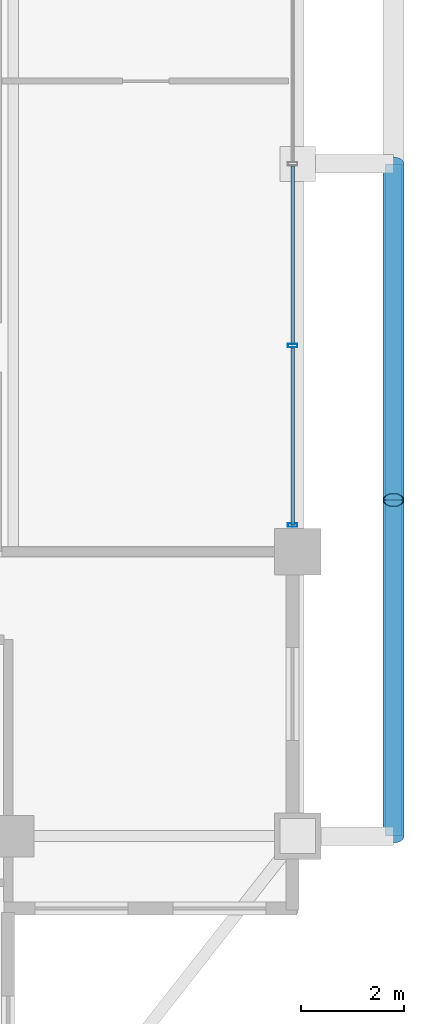
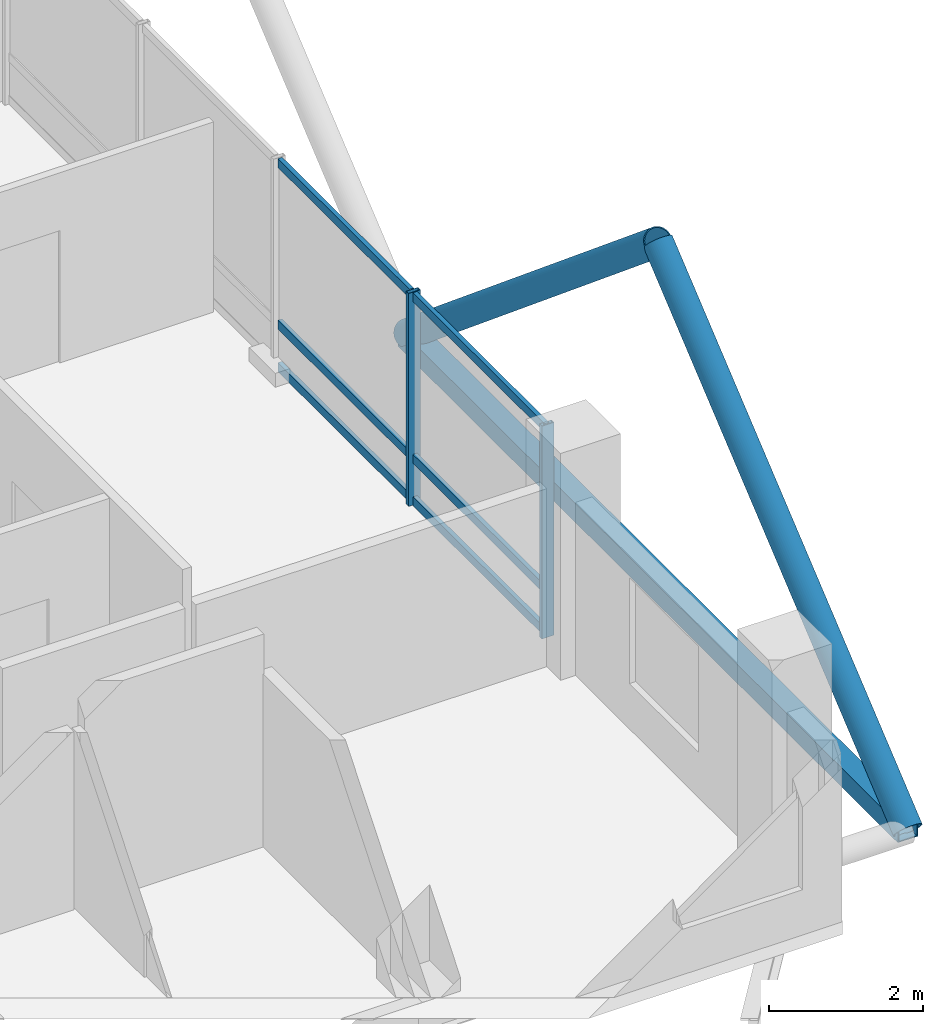
# One storey, part 12 of 25: 11 members, 1 element without a shape of its own.
"""IFC4 building model written with IfcOpenShell, lengths in metres."""

from ifc_helpers import new_model, si_unit, direction, frame, origin, origin_2d, place, context, subcontext, project, spatial, hollow_rectangle, hollow_circle, extrude, material, layer, layer_set, material_profile, profile_set, type_object, element, aggregate, save


model = new_model("IFC4")

# Units and contexts
model_context = context("Model", 3, precision=1e-05, world=origin(), true_north=direction((0.0, 1.0)))
body_context = subcontext(model_context, "Body", "Model", "MODEL_VIEW")
ifc_project = project(units=[si_unit("LENGTHUNIT", "METRE"), si_unit("AREAUNIT", "SQUARE_METRE"), si_unit("VOLUMEUNIT", "CUBIC_METRE"), si_unit("PLANEANGLEUNIT", "RADIAN"), si_unit("MASSUNIT", "GRAM", prefix="KILO")], contexts=[model_context])

# Site, building, storey
site_placement = place(None, origin())
site = spatial("IfcSite", under=ifc_project, at=site_placement, CompositionType="ELEMENT")
building_placement = place(site_placement, origin())
building = spatial("IfcBuilding", under=site, at=building_placement, Name="Barlavira Tower and Art Museum", CompositionType="ELEMENT")
storey_placement = place(building_placement, frame((0.0, 0.0, 229.5)))
storey = spatial("IfcBuildingStorey", under=building, at=storey_placement, Name="L59", CompositionType="ELEMENT", Elevation=229.5)

# Curtain wall, members
ifc_material_1 = material(Name="Low-iron coastal laminated glass", Category="glass")
ifc_layer = layer(ifc_material_1, 0.2099609375, Name="Low-iron coastal laminated glass")
ifc_layer_set = layer_set([ifc_layer], Name="Low-iron coastal laminated glass")
curtain_wall_type = type_object("IfcCurtainWallType", Name="Pale-Metal Unitised Curtain Wall Zone 4", PredefinedType="NOTDEFINED", material=ifc_layer_set)
curtain_wall_placement = place(storey_placement, origin())
curtain_wall = element("IfcCurtainWall", 1, at=curtain_wall_placement, inside=storey, type_object=curtain_wall_type, Name="L59 Curtain Wall CW4-L59-E-B3", PredefinedType="NOTDEFINED")
ifc_material_2 = material(Name="Pale anodised aluminium", Category="aluminium")
ifc_material_profile_1 = material_profile(ifc_material_2, hollow_rectangle(XDim=0.06494140625, YDim=0.179931640625, WallThickness=0.00390625, at=origin_2d()), Name="ALU-MULL 65x180x4")
ifc_profile_set_1 = profile_set([ifc_material_profile_1], Name="Pale anodised aluminium")
member_type_1 = type_object("IfcMemberType", Name="Curtain Wall Pale-Metal Mullion 65x180", PredefinedType="MULLION", material=ifc_profile_set_1)
member_1_placement = place(storey_placement, frame((16.89990234375, -6.985107421875, 0.0), z_axis=(0.0, 0.0, 1.0), x_axis=(0.0, 1.0, 0.0)))
member_1 = element("IfcMember", 2, at=member_1_placement, type_object=member_type_1, Name="CW4-L59-E-B3 Mullion 0", PredefinedType="MULLION", context=body_context, shape_type="SweptSolid", body=[
    extrude(hollow_rectangle(XDim=0.06494140625, YDim=0.179931640625, WallThickness=0.00390625, at=origin_2d()), origin(), (0.0, 0.0, 1.0), 3.3798828125),
])
member_2_placement = place(storey_placement, frame((16.89990234375, -3.514892578125, 0.0), z_axis=(0.0, 0.0, 1.0), x_axis=(0.0, 1.0, 0.0)))
member_2 = element("IfcMember", 3, at=member_2_placement, type_object=member_type_1, Name="CW4-L59-E-B3 Mullion 1", PredefinedType="MULLION", context=body_context, shape_type="SweptSolid", body=[
    extrude(hollow_rectangle(XDim=0.06494140625, YDim=0.179931640625, WallThickness=0.00390625, at=origin_2d()), origin(), (0.0, 0.0, 1.0), 3.3798828125),
])
ifc_material_profile_2 = material_profile(ifc_material_2, hollow_rectangle(XDim=0.06494140625, YDim=0.139892578125, WallThickness=0.00390625, at=origin_2d()), Name="ALU-TRAN 65x140x4")
ifc_profile_set_2 = profile_set([ifc_material_profile_2], Name="Pale anodised aluminium")
member_type_2 = type_object("IfcMemberType", Name="Curtain Wall Pale-Metal Transom 65x140", PredefinedType="USERDEFINED", material=ifc_profile_set_2)
member_3_placement = place(storey_placement, frame((16.89990234375, -6.985107421875, 0.070068359375), z_axis=(0.0, 1.0, 0.0), x_axis=(-1.0, 0.0, 0.0)))
member_3 = element("IfcMember", 4, at=member_3_placement, type_object=member_type_2, Name="CW4-L59-E-B3 Transom 0.1", ObjectType="TRANSOM", PredefinedType="USERDEFINED", context=body_context, shape_type="SweptSolid", body=[
    extrude(hollow_rectangle(XDim=0.06494140625, YDim=0.139892578125, WallThickness=0.00390625, at=origin_2d()), origin(), (0.0, 0.0, 1.0), 3.425048828125),
])
member_4_placement = place(storey_placement, frame((16.89990234375, -6.985107421875, 0.743896484375), z_axis=(0.0, 1.0, 0.0), x_axis=(-1.0, 0.0, 0.0)))
member_4 = element("IfcMember", 5, at=member_4_placement, type_object=member_type_2, Name="CW4-L59-E-B3 Transom 0.2", ObjectType="TRANSOM", PredefinedType="USERDEFINED", context=body_context, shape_type="SweptSolid", body=[
    extrude(hollow_rectangle(XDim=0.06494140625, YDim=0.139892578125, WallThickness=0.00390625, at=origin_2d()), origin(), (0.0, 0.0, 1.0), 3.425048828125),
])
member_5_placement = place(storey_placement, frame((16.89990234375, -6.985107421875, 3.31005859375), z_axis=(0.0, 1.0, 0.0), x_axis=(-1.0, 0.0, 0.0)))
member_5 = element("IfcMember", 6, at=member_5_placement, type_object=member_type_2, Name="CW4-L59-E-B3 Transom 0.3", ObjectType="TRANSOM", PredefinedType="USERDEFINED", context=body_context, shape_type="SweptSolid", body=[
    extrude(hollow_rectangle(XDim=0.06494140625, YDim=0.139892578125, WallThickness=0.00390625, at=origin_2d()), origin(), (0.0, 0.0, 1.0), 3.425048828125),
])
member_6_placement = place(storey_placement, frame((16.89990234375, -3.469970703125, 0.070068359375), z_axis=(0.0, 1.0, 0.0), x_axis=(-1.0, 0.0, 0.0)))
member_6 = element("IfcMember", 7, at=member_6_placement, type_object=member_type_2, Name="CW4-L59-E-B3 Transom 1.1", ObjectType="TRANSOM", PredefinedType="USERDEFINED", context=body_context, shape_type="SweptSolid", body=[
    extrude(hollow_rectangle(XDim=0.06494140625, YDim=0.139892578125, WallThickness=0.00390625, at=origin_2d()), origin(), (0.0, 0.0, 1.0), 3.425048828125),
])
member_7_placement = place(storey_placement, frame((16.89990234375, -3.469970703125, 0.743896484375), z_axis=(0.0, 1.0, 0.0), x_axis=(-1.0, 0.0, 0.0)))
member_7 = element("IfcMember", 8, at=member_7_placement, type_object=member_type_2, Name="CW4-L59-E-B3 Transom 1.2", ObjectType="TRANSOM", PredefinedType="USERDEFINED", context=body_context, shape_type="SweptSolid", body=[
    extrude(hollow_rectangle(XDim=0.06494140625, YDim=0.139892578125, WallThickness=0.00390625, at=origin_2d()), origin(), (0.0, 0.0, 1.0), 3.425048828125),
])
member_8_placement = place(storey_placement, frame((16.89990234375, -3.469970703125, 3.31005859375), z_axis=(0.0, 1.0, 0.0), x_axis=(-1.0, 0.0, 0.0)))
member_8 = element("IfcMember", 9, at=member_8_placement, type_object=member_type_2, Name="CW4-L59-E-B3 Transom 1.3", ObjectType="TRANSOM", PredefinedType="USERDEFINED", context=body_context, shape_type="SweptSolid", body=[
    extrude(hollow_rectangle(XDim=0.06494140625, YDim=0.139892578125, WallThickness=0.00390625, at=origin_2d()), origin(), (0.0, 0.0, 1.0), 3.425048828125),
])
aggregate(curtain_wall, [member_1, member_2, member_3, member_4, member_5, member_6, member_7, member_8])

# Members
ifc_material_3 = material(Name="Steel S355", Category="steel")
ifc_material_profile_3 = material_profile(ifc_material_3, hollow_circle(Radius=0.203125, WallThickness=0.01611328125, at=origin_2d()), Name="CHS 406.4x16.0")
ifc_profile_set_3 = profile_set([ifc_material_profile_3], Name="Steel S355")
member_type_3 = type_object("IfcMemberType", Name="Pale-Metal Exoskeleton Diagrid Tube CHS 406x16 Steel S355", PredefinedType="BRACE", material=ifc_profile_set_3)
for number, where, z_axis, x_axis, name in (
    (10, (18.85009765625, -13.0, -0.1201171875), (0.0, 0.76918185268, 0.639029950399), (-1.0, 0.0, 0.0), "L59 Exoskeleton Diagrid Tube E"),
    (11, (18.85009765625, 0.0, -0.1201171875), (0.0, -0.76918185268, 0.639029950399), (1.0, 0.0, 0.0), "L59 Exoskeleton Diagrid Tube E"),
):
    element("IfcMember", number, at=place(storey_placement, frame(where, z_axis=z_axis, x_axis=x_axis)), inside=storey, type_object=member_type_3, Name=name, PredefinedType="BRACE", context=body_context, shape_type="SweptSolid", body=[
        extrude(hollow_circle(Radius=0.203125, WallThickness=0.01611328125, at=origin_2d()), origin(), (0.0, 0.0, 1.0), 8.450439453125),
    ])
ifc_material_profile_4 = material_profile(ifc_material_3, hollow_rectangle(XDim=0.300048828125, YDim=0.300048828125, WallThickness=0.01611328125, at=origin_2d()), Name="SHS 300x300x16.0")
ifc_profile_set_4 = profile_set([ifc_material_profile_4], Name="Steel S355")
member_type_4 = type_object("IfcMemberType", Name="Pale-Metal Upper Ring Strut SHS 300x300x16 Steel S355", PredefinedType="STRUT", material=ifc_profile_set_4)
member_9_placement = place(storey_placement, frame((18.85009765625, -13.0, -0.1201171875), z_axis=(0.0, 1.0, 0.0), x_axis=(-1.0, 0.0, 0.0)))
element("IfcMember", 12, at=member_9_placement, inside=storey, type_object=member_type_4, Name="L59 Exoskeleton Ring Strut E", PredefinedType="STRUT", context=body_context, shape_type="SweptSolid", body=[
    extrude(hollow_rectangle(XDim=0.300048828125, YDim=0.300048828125, WallThickness=0.01611328125, at=origin_2d()), origin(), (0.0, 0.0, 1.0), 13.0),
])

save(model, "model.ifc")
